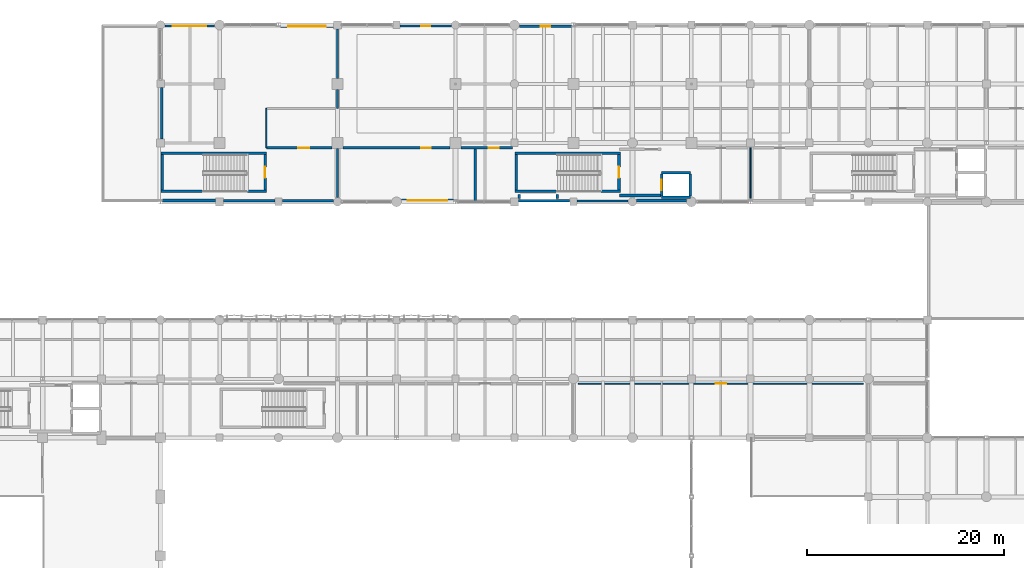
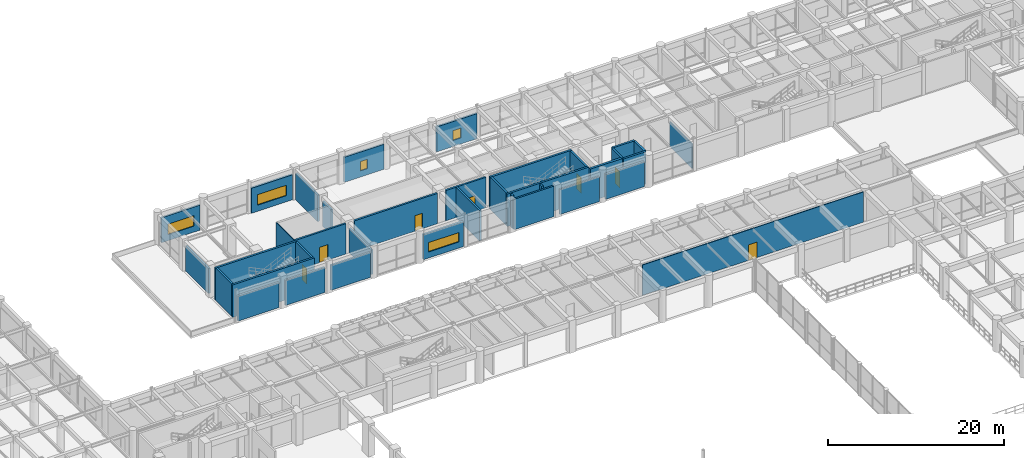
# One storey, part 103 of 133: 37 walls, 7 doors, 5 windows, 12 openings.
"""IFC4 building model written with IfcOpenShell, lengths in metres."""

import ifcopenshell
import ifcopenshell.guid

model = None  # the IFC model being written
_history = None  # IfcOwnerHistory: only IFC2X3 demands one
_inside = {}  # id of a spatial element -> (the spatial element, [elements in it])
_under = {}  # id of a project, library or spatial element -> (it, [spatial elements below it])
_declared = {}  # id of a project -> (the project, [libraries it declares])
_typed = {}  # id of a type object -> (the type object, [elements of that type])
_made_of = {}  # id of a material, layer set ... -> (it, [elements and type objects made of it])


def new_model(schema):
    """Start an empty IFC model of exactly this schema.

    Asked for "IFC4X3", IfcOpenShell would pick the latest addendum, in which some entities
    have other attributes; the version numbers below select the first issue.
    IFC2X3 requires an IfcOwnerHistory on every rooted entity: one is made here for all.
    """
    global model, _history
    if schema == "IFC4X3":
        model = ifcopenshell.file(schema_version=(4, 3, 0, 0))
    else:
        model = ifcopenshell.file(schema=schema)
    _inside.clear()
    _under.clear()
    _declared.clear()
    _typed.clear()
    _made_of.clear()
    _history = None
    if model.schema == "IFC2X3":
        org = make("IfcOrganization", Name="unknown")
        user = make(
            "IfcPersonAndOrganization",
            ThePerson=make("IfcPerson", FamilyName="unknown"),
            TheOrganization=org,
        )
        app = make(
            "IfcApplication",
            ApplicationDeveloper=org,
            Version="unknown",
            ApplicationFullName="unknown",
            ApplicationIdentifier="unknown",
        )
        _history = make(
            "IfcOwnerHistory",
            OwningUser=user,
            OwningApplication=app,
            ChangeAction="ADDED",
            CreationDate=0,
        )
    return model


def make(cls, **values):
    """One entity of the class cls with the attributes given. An attribute that is None is left unset."""
    return model.create_entity(
        cls, **{name: value for name, value in values.items() if value is not None}
    )


def rooted(cls, **values):
    """An entity with a GlobalId (a new one), such as an element, a storey or a relation."""
    return make(cls, GlobalId=ifcopenshell.guid.new(), OwnerHistory=_history, **values)


def si_unit(unit_type, name, prefix=None):
    """IfcSIUnit, for example si_unit("LENGTHUNIT", "METRE", prefix="MILLI")."""
    return make("IfcSIUnit", UnitType=unit_type, Prefix=prefix, Name=name)


def assignment(units):
    """IfcUnitAssignment: the units of a project."""
    return None if units is None else make("IfcUnitAssignment", Units=units)


def point(xyz):
    """IfcCartesianPoint."""
    return None if xyz is None else make("IfcCartesianPoint", Coordinates=xyz)


def direction(xyz):
    """IfcDirection."""
    return None if xyz is None else make("IfcDirection", DirectionRatios=xyz)


def frame(location, z_axis=None, x_axis=None):
    """IfcAxis2Placement3D, a coordinate frame: its origin and axes. An axis left out is left unset."""
    return make(
        "IfcAxis2Placement3D",
        Location=point(location),
        Axis=direction(z_axis),
        RefDirection=direction(x_axis),
    )


def frame_2d(location, x_axis=None):
    """IfcAxis2Placement2D, a coordinate frame in the plane: its origin and x axis."""
    return make(
        "IfcAxis2Placement2D", Location=point(location), RefDirection=direction(x_axis)
    )


def origin():
    """The frame at (0, 0, 0) with its axes left unset."""
    return frame((0.0, 0.0, 0.0))


def place(relative_to, where):
    """IfcLocalPlacement: puts the frame where relative to a parent placement (None: the world)."""
    return make(
        "IfcLocalPlacement", PlacementRelTo=relative_to, RelativePlacement=where
    )


def context(
    kind, dimensions, precision=None, world=None, true_north=None, identifier=None
):
    """IfcGeometricRepresentationContext, for example the 3D "Model" context."""
    return make(
        "IfcGeometricRepresentationContext",
        ContextIdentifier=identifier,
        ContextType=kind,
        CoordinateSpaceDimension=dimensions,
        Precision=precision,
        WorldCoordinateSystem=world,
        TrueNorth=true_north,
    )


def subcontext(parent, identifier, kind, view, scale=None):
    """IfcGeometricRepresentationSubContext, for example "Body" below "Model"."""
    return make(
        "IfcGeometricRepresentationSubContext",
        ContextIdentifier=identifier,
        ContextType=kind,
        ParentContext=parent,
        TargetScale=scale,
        TargetView=view,
    )


def project(units=None, contexts=None):
    """IfcProject with its units and contexts."""
    return rooted(
        "IfcProject",
        Name="project",
        RepresentationContexts=contexts,
        UnitsInContext=assignment(units),
    )


def spatial(cls, under=None, at=None, **own):
    """A site, building, storey or space (cls), placed at a placement, below another one or the project."""
    s = rooted(cls, ObjectPlacement=at, **own)
    if under is not None:
        _under.setdefault(under.id(), (under, []))[1].append(s)
    return s


def profile(cls, at=None, kind="AREA", **sizes):
    """A parametric profile (cls). Its sizes go by their IFC names, for example OverallWidth=200.0."""
    return make(cls, ProfileType=kind, Position=at, **sizes)


def rectangle(**sizes):
    """IfcRectangleProfileDef."""
    return profile("IfcRectangleProfileDef", **sizes)


def extrude(swept, where, along, depth):
    """IfcExtrudedAreaSolid: the profile swept, set in the frame where, extruded along a direction by depth."""
    return make(
        "IfcExtrudedAreaSolid",
        SweptArea=swept,
        Position=where,
        ExtrudedDirection=direction(along),
        Depth=depth,
    )


def shape(context_of_items, identifier, shape_type, items):
    """IfcShapeRepresentation: the items that make up one representation, for example the "Body"."""
    return make(
        "IfcShapeRepresentation",
        ContextOfItems=context_of_items,
        RepresentationIdentifier=identifier,
        RepresentationType=shape_type,
        Items=items,
    )


def material(Name=None, Category=None):
    """IfcMaterial."""
    return make("IfcMaterial", Name=Name, Category=Category)


def layer(
    of_material, thickness, ventilated=None, Name=None, Category=None, Priority=None
):
    """IfcMaterialLayer: one layer of a wall or slab, of a material (None: an air gap)."""
    return make(
        "IfcMaterialLayer",
        Material=of_material,
        LayerThickness=thickness,
        IsVentilated=ventilated,
        Name=Name,
        Category=Category,
        Priority=Priority,
    )


def layer_set(layers, Name=None):
    """IfcMaterialLayerSet."""
    return make("IfcMaterialLayerSet", MaterialLayers=layers, LayerSetName=Name)


def made_of(thing, what):
    """Note that an element or type object is made of a material, layer set ...; save() writes the relation."""
    if what is not None:
        _made_of.setdefault(what.id(), (what, []))[1].append(thing)
    return thing


def type_object(cls, material=None, **own):
    """A type object (cls), such as IfcWallType, which elements share."""
    return made_of(rooted(cls, **own), material)


def element(
    cls,
    number,
    at=None,
    inside=None,
    cuts=None,
    type_object=None,
    material=None,
    context=None,
    identifier="Body",
    shape_type=None,
    held_by="IfcProductDefinitionShape",
    body=None,
    shapes=None,
    **own,
):
    """One element of the class cls, such as IfcWall. Its Tag is "e" and its number.

    at: its placement. inside: the storey or other place that contains it. cuts: it is an
    opening in that element (IfcRelVoidsElement). A single representation is given by context,
    identifier, shape_type and body (its items); several are given by shapes. held_by: the class
    of the entity that holds the representations. save() writes the other relations.
    """
    e = rooted(cls, Tag="e%d" % number, ObjectPlacement=at, **own)
    if body is not None:
        shapes = [shape(context, identifier, shape_type, body)]
    if shapes is not None:
        e.Representation = make(held_by, Representations=shapes)
    if inside is not None:
        _inside.setdefault(inside.id(), (inside, []))[1].append(e)
    if cuts is not None:
        rooted(
            "IfcRelVoidsElement", RelatingBuildingElement=cuts, RelatedOpeningElement=e
        )
    if type_object is not None:
        _typed.setdefault(type_object.id(), (type_object, []))[1].append(e)
    return made_of(e, material)


def fill(opening, filler):
    """IfcRelFillsElement: the door or window that sits in an opening."""
    return rooted(
        "IfcRelFillsElement",
        RelatingOpeningElement=opening,
        RelatedBuildingElement=filler,
    )


def aggregate(whole, parts):
    """IfcRelAggregates: a whole, such as a stair, and the parts it consists of."""
    return rooted("IfcRelAggregates", RelatingObject=whole, RelatedObjects=parts)


def save(model, path):
    """Write the relations noted so far, then the file.

    IfcRelAggregates (storeys below a building ...), IfcRelContainedInSpatialStructure (elements
    in a storey), IfcRelDefinesByType, IfcRelAssociatesMaterial and IfcRelDeclares: one each for
    every whole, place, type object, material and project.
    """
    for whole, parts in _under.values():
        aggregate(whole, parts)
    for where, things in _inside.values():
        rooted(
            "IfcRelContainedInSpatialStructure",
            RelatedElements=things,
            RelatingStructure=where,
        )
    for kind, things in _typed.values():
        rooted("IfcRelDefinesByType", RelatedObjects=things, RelatingType=kind)
    for what, things in _made_of.values():
        rooted("IfcRelAssociatesMaterial", RelatedObjects=things, RelatingMaterial=what)
    for by, libraries in _declared.values():
        rooted("IfcRelDeclares", RelatingContext=by, RelatedDefinitions=libraries)
    model.write(path)


model = new_model("IFC4")

# Units and contexts
model_context = context("Model", 3, precision=1e-05, world=origin(), true_north=direction((0.0, 1.0)))
body_context = subcontext(model_context, "Body", "Model", "MODEL_VIEW")
ifc_project = project(units=[si_unit("LENGTHUNIT", "METRE"), si_unit("AREAUNIT", "SQUARE_METRE"), si_unit("VOLUMEUNIT", "CUBIC_METRE"), si_unit("PLANEANGLEUNIT", "RADIAN"), si_unit("MASSUNIT", "GRAM", prefix="KILO"), si_unit("THERMODYNAMICTEMPERATUREUNIT", "KELVIN"), si_unit("POWERUNIT", "WATT")], contexts=[model_context])

# Site, building, storey
site_placement = place(None, origin())
site = spatial("IfcSite", under=ifc_project, at=site_placement, CompositionType="ELEMENT")
building_placement = place(site_placement, origin())
building = spatial("IfcBuilding", under=site, at=building_placement, Name="Phaisarnlok Congress Hotel", CompositionType="ELEMENT")
storey_placement = place(building_placement, frame((0.0, 0.0, 6.0)))
storey = spatial("IfcBuildingStorey", under=building, at=storey_placement, Name="L01", CompositionType="ELEMENT", Elevation=6.0)

# Walls
ifc_material_1 = material(Name="Concrete C40/50", Category="concrete")
ifc_layer_1 = layer(ifc_material_1, 0.2099609375, Name="Concrete C40/50")
ifc_layer_set_1 = layer_set([ifc_layer_1], Name="Concrete C40/50")
wall_type_1 = type_object("IfcWallType", Name="WL-EXT-210", PredefinedType="SOLIDWALL", material=ifc_layer_set_1)
wall_1_placement = place(storey_placement, frame((108.3798828125, 108.10498046875, 0.0), z_axis=(0.0, 0.0, 1.0), x_axis=(1.0, 0.0, 0.0)))
element("IfcWall", 1, at=wall_1_placement, inside=storey, type_object=wall_type_1, Name="Exterior wall EW-07 (L01)", PredefinedType="SOLIDWALL", context=body_context, shape_type="SweptSolid", body=[
    extrude(rectangle(XDim=5.190185546875, YDim=0.2099609375, at=frame_2d((2.59521484375, 0.0))), origin(), (0.0, 0.0, 1.0), 3.469970703125),
])
ifc_layer_2 = layer(ifc_material_1, 0.22998046875, Name="Concrete C40/50")
ifc_layer_set_2 = layer_set([ifc_layer_2], Name="Concrete C40/50")
wall_type_2 = type_object("IfcWallType", Name="WL-EXT-230", PredefinedType="SOLIDWALL", material=ifc_layer_set_2)
wall_2_placement = place(storey_placement, frame((78.3798828125, 108.114990234375, 0.0), z_axis=(0.0, 0.0, 1.0), x_axis=(1.0, 0.0, 0.0)))
element("IfcWall", 2, at=wall_2_placement, inside=storey, type_object=wall_type_2, Name="Exterior wall EW-06 (L01)", PredefinedType="SOLIDWALL", context=body_context, shape_type="SweptSolid", body=[
    extrude(rectangle(XDim=5.190185546875, YDim=0.22998046875, at=frame_2d((2.59521484375, 0.0))), origin(), (0.0, 0.0, 1.0), 3.469970703125),
])
wall_3_placement = place(storey_placement, frame((102.405029296875, 108.114990234375, 0.0), z_axis=(0.0, 0.0, 1.0), x_axis=(1.0, 0.0, 0.0)))
element("IfcWall", 3, at=wall_3_placement, inside=storey, type_object=wall_type_2, Name="Exterior wall EW-06 (L01)", PredefinedType="SOLIDWALL", context=body_context, shape_type="SweptSolid", body=[
    extrude(rectangle(XDim=5.215087890625, YDim=0.22998046875, at=frame_2d((2.607421875, 0.0))), origin(), (0.0, 0.0, 1.0), 4.219970703125),
])

# Wall, opening, window
wall_4_placement = place(storey_placement, frame((95.570068359375, 125.885009765625, 0.0), z_axis=(0.0, 0.0, 1.0), x_axis=(-1.0, 0.0, 0.0)))
wall_4 = element("IfcWall", 4, at=wall_4_placement, inside=storey, type_object=wall_type_2, Name="Exterior wall EW-06 (L01)", PredefinedType="SOLIDWALL", context=body_context, shape_type="SweptSolid", body=[
    extrude(rectangle(XDim=5.190185546875, YDim=0.22998046875, at=frame_2d((2.59521484375, 0.0))), origin(), (0.0, 0.0, 1.0), 3.469970703125),
])
opening_1_placement = place(wall_4_placement, frame((2.14501953125, 0.0, 0.85009765625)))
opening_1 = element("IfcOpeningElement", 5, at=opening_1_placement, cuts=wall_4, Name="Opening W-16", PredefinedType="OPENING", context=body_context, shape_type="SweptSolid", body=[
    extrude(rectangle(XDim=0.89990234375, YDim=1.300048828125, at=frame_2d((0.449951171875, 0.64990234375))), frame((0.0, 0.125, 0.0), z_axis=(0.0, -1.0, 0.0), x_axis=(1.0, 0.0, 0.0)), (0.0, 0.0, 1.0), 0.25),
])
ifc_material_2 = material(Name="Thermally Broken Aluminium & Low-E Double Glazing", Category="aluminium")
window_type_1 = type_object("IfcWindowType", Name="WIN-POD-0900", PartitioningType="SINGLE_PANEL", PredefinedType="WINDOW", material=ifc_material_2)
window_1_placement = place(opening_1_placement, origin())
window_1 = element("IfcWindow", 6, at=window_1_placement, inside=storey, type_object=window_type_1, Name="Podium window W-16 (L01)", OverallHeight=1.300048828125, OverallWidth=0.89990234375, PartitioningType="SINGLE_PANEL", PredefinedType="WINDOW", context=body_context, shape_type="SweptSolid", body=[
    extrude(rectangle(XDim=0.89990234375, YDim=1.300048828125, at=frame_2d((0.449951171875, 0.64990234375))), frame((0.0, 0.030029296875, 0.0), z_axis=(0.0, -1.0, 0.0), x_axis=(1.0, 0.0, 0.0)), (0.0, 0.0, 1.0), 0.06005859375),
])
fill(opening_1, window_1)

wall_5_placement = place(storey_placement, frame((71.4951171875, 125.885009765625, 0.0), z_axis=(0.0, 0.0, 1.0), x_axis=(-1.0, 0.0, 0.0)))
wall_5 = element("IfcWall", 7, at=wall_5_placement, inside=storey, type_object=wall_type_2, Name="Exterior wall EW-06 (L01)", PredefinedType="SOLIDWALL", context=body_context, shape_type="SweptSolid", body=[
    extrude(rectangle(XDim=5.065185546875, YDim=0.22998046875, at=frame_2d((2.53271484375, 0.0))), origin(), (0.0, 0.0, 1.0), 3.469970703125),
])
opening_2_placement = place(wall_5_placement, frame((0.83203125, 0.0, 0.85009765625)))
opening_2 = element("IfcOpeningElement", 8, at=opening_2_placement, cuts=wall_5, Name="Opening W-18", PredefinedType="OPENING", context=body_context, shape_type="SweptSolid", body=[
    extrude(rectangle(XDim=3.39990234375, YDim=1.449951171875, at=frame_2d((1.699951171875, 0.72509765625))), frame((0.0, 0.125, 0.0), z_axis=(0.0, -1.0, 0.0), x_axis=(1.0, 0.0, 0.0)), (0.0, 0.0, 1.0), 0.25),
])
window_type_2 = type_object("IfcWindowType", Name="WIN-RIB-3400", PartitioningType="SINGLE_PANEL", PredefinedType="WINDOW", material=ifc_material_2)
window_2_placement = place(opening_2_placement, origin())
window_2 = element("IfcWindow", 9, at=window_2_placement, inside=storey, type_object=window_type_2, Name="Podium window W-18 (L01)", OverallHeight=1.449951171875, OverallWidth=3.39990234375, PartitioningType="SINGLE_PANEL", PredefinedType="WINDOW", context=body_context, shape_type="SweptSolid", body=[
    extrude(rectangle(XDim=3.39990234375, YDim=1.449951171875, at=frame_2d((1.699951171875, 0.72509765625))), frame((0.0, 0.030029296875, 0.0), z_axis=(0.0, -1.0, 0.0), x_axis=(1.0, 0.0, 0.0)), (0.0, 0.0, 1.0), 0.06005859375),
])
fill(opening_2, window_2)

# Walls
ifc_layer_3 = layer(ifc_material_1, 0.25, Name="Concrete C40/50")
ifc_layer_set_3 = layer_set([ifc_layer_3], Name="Concrete C40/50")
wall_type_3 = type_object("IfcWallType", Name="WL-EXT-250", PredefinedType="SOLIDWALL", material=ifc_layer_set_3)
wall_6_placement = place(storey_placement, frame((72.405029296875, 108.125, 0.0), z_axis=(0.0, 0.0, 1.0), x_axis=(1.0, 0.0, 0.0)))
element("IfcWall", 10, at=wall_6_placement, inside=storey, type_object=wall_type_3, Name="Exterior wall EW-05 (L01)", PredefinedType="SOLIDWALL", context=body_context, shape_type="SweptSolid", body=[
    extrude(rectangle(XDim=5.215087890625, YDim=0.25, at=frame_2d((2.607421875, 0.0))), origin(), (0.0, 0.0, 1.0), 3.469970703125),
])
ifc_layer_4 = layer(ifc_material_1, 0.27001953125, Name="Concrete C40/50")
ifc_layer_set_4 = layer_set([ifc_layer_4], Name="Concrete C40/50")
wall_type_4 = type_object("IfcWallType", Name="WL-EXT-270", PredefinedType="SOLIDWALL", material=ifc_layer_set_4)
wall_7_placement = place(storey_placement, frame((66.20556640625, 108.135009765625, 0.0), z_axis=(0.0, 0.0, 1.0), x_axis=(1.0, 0.0, 0.0)))
element("IfcWall", 11, at=wall_7_placement, inside=storey, type_object=wall_type_4, Name="Exterior wall EW-04 (L01)", PredefinedType="SOLIDWALL", context=body_context, shape_type="SweptSolid", body=[
    extrude(rectangle(XDim=5.389404296875, YDim=0.27001953125, at=frame_2d((2.69482421875, 0.0))), origin(), (0.0, 0.0, 1.0), 3.469970703125),
])

# Wall, opening, window
wall_8_placement = place(storey_placement, frame((90.5048828125, 108.135009765625, 0.0), z_axis=(0.0, 0.0, 1.0), x_axis=(1.0, 0.0, 0.0)))
wall_8 = element("IfcWall", 12, at=wall_8_placement, inside=storey, type_object=wall_type_4, Name="Exterior wall EW-04 (L01)", PredefinedType="SOLIDWALL", context=body_context, shape_type="SweptSolid", body=[
    extrude(rectangle(XDim=5.28955078125, YDim=0.27001953125, at=frame_2d((2.644775390625, 0.0))), origin(), (0.0, 0.0, 1.0), 3.469970703125),
])
opening_3_placement = place(wall_8_placement, frame((0.64501953125, 0.0, 0.85009765625)))
opening_3 = element("IfcOpeningElement", 13, at=opening_3_placement, cuts=wall_8, Name="Opening W-19", PredefinedType="OPENING", context=body_context, shape_type="SweptSolid", body=[
    extrude(rectangle(XDim=4.0, YDim=1.300048828125, at=frame_2d((2.0, 0.64990234375))), frame((0.0, 0.14501953125, 0.0), z_axis=(0.0, -1.0, 0.0), x_axis=(1.0, 0.0, 0.0)), (0.0, 0.0, 1.0), 0.2900390625),
])
window_type_3 = type_object("IfcWindowType", Name="WIN-CLER-4000", PartitioningType="SINGLE_PANEL", PredefinedType="WINDOW", material=ifc_material_2)
window_3_placement = place(opening_3_placement, origin())
window_3 = element("IfcWindow", 14, at=window_3_placement, inside=storey, type_object=window_type_3, Name="Podium window W-19 (L01)", OverallHeight=1.300048828125, OverallWidth=4.0, PartitioningType="SINGLE_PANEL", PredefinedType="WINDOW", context=body_context, shape_type="SweptSolid", body=[
    extrude(rectangle(XDim=4.0, YDim=1.300048828125, at=frame_2d((2.0, 0.64990234375))), frame((0.0, 0.030029296875, 0.0), z_axis=(0.0, -1.0, 0.0), x_axis=(1.0, 0.0, 0.0)), (0.0, 0.0, 1.0), 0.06005859375),
])
fill(opening_3, window_3)

# Wall
wall_9_placement = place(storey_placement, frame((114.429931640625, 108.135009765625, 0.0), z_axis=(0.0, 0.0, 1.0), x_axis=(1.0, 0.0, 0.0)))
element("IfcWall", 15, at=wall_9_placement, inside=storey, type_object=wall_type_4, Name="Exterior wall EW-04 (L01)", PredefinedType="SOLIDWALL", context=body_context, shape_type="SweptSolid", body=[
    extrude(rectangle(XDim=5.065185546875, YDim=0.27001953125, at=frame_2d((2.53271484375, 0.0))), origin(), (0.0, 0.0, 1.0), 3.469970703125),
])

# Wall, opening, window
wall_10_placement = place(storey_placement, frame((107.79443359375, 125.864990234375, 0.0), z_axis=(0.0, 0.0, 1.0), x_axis=(-1.0, 0.0, 0.0)))
wall_10 = element("IfcWall", 16, at=wall_10_placement, inside=storey, type_object=wall_type_4, Name="Exterior wall EW-04 (L01)", PredefinedType="SOLIDWALL", context=body_context, shape_type="SweptSolid", body=[
    extrude(rectangle(XDim=5.28955078125, YDim=0.27001953125, at=frame_2d((2.644775390625, 0.0))), origin(), (0.0, 0.0, 1.0), 3.469970703125),
])
opening_4_placement = place(wall_10_placement, frame((2.14501953125, 0.0, 0.85009765625)))
opening_4 = element("IfcOpeningElement", 17, at=opening_4_placement, cuts=wall_10, Name="Opening W-15", PredefinedType="OPENING", context=body_context, shape_type="SweptSolid", body=[
    extrude(rectangle(XDim=1.0, YDim=1.35009765625, at=frame_2d((0.5, 0.675048828125))), frame((0.0, 0.14501953125, 0.0), z_axis=(0.0, -1.0, 0.0), x_axis=(1.0, 0.0, 0.0)), (0.0, 0.0, 1.0), 0.2900390625),
])
window_type_4 = type_object("IfcWindowType", Name="WIN-POD-1000", PartitioningType="SINGLE_PANEL", PredefinedType="WINDOW", material=ifc_material_2)
window_4_placement = place(opening_4_placement, origin())
window_4 = element("IfcWindow", 18, at=window_4_placement, inside=storey, type_object=window_type_4, Name="Podium window W-15 (L01)", OverallHeight=1.35009765625, OverallWidth=1.0, PartitioningType="SINGLE_PANEL", PredefinedType="WINDOW", context=body_context, shape_type="SweptSolid", body=[
    extrude(rectangle(XDim=1.0, YDim=1.35009765625, at=frame_2d((0.5, 0.675048828125))), frame((0.0, 0.030029296875, 0.0), z_axis=(0.0, -1.0, 0.0), x_axis=(1.0, 0.0, 0.0)), (0.0, 0.0, 1.0), 0.06005859375),
])
fill(opening_4, window_4)

wall_11_placement = place(storey_placement, frame((83.594970703125, 125.864990234375, 0.0), z_axis=(0.0, 0.0, 1.0), x_axis=(-1.0, 0.0, 0.0)))
wall_11 = element("IfcWall", 19, at=wall_11_placement, inside=storey, type_object=wall_type_4, Name="Exterior wall EW-04 (L01)", PredefinedType="SOLIDWALL", context=body_context, shape_type="SweptSolid", body=[
    extrude(rectangle(XDim=5.389404296875, YDim=0.27001953125, at=frame_2d((2.69482421875, 0.0))), origin(), (0.0, 0.0, 1.0), 3.469970703125),
])
opening_5_placement = place(wall_11_placement, frame((0.794921875, 0.0, 0.85009765625)))
opening_5 = element("IfcOpeningElement", 20, at=opening_5_placement, cuts=wall_11, Name="Opening W-17", PredefinedType="OPENING", context=body_context, shape_type="SweptSolid", body=[
    extrude(rectangle(XDim=3.800048828125, YDim=1.449951171875, at=frame_2d((1.89990234375, 0.72509765625))), frame((0.0, 0.14501953125, 0.0), z_axis=(0.0, -1.0, 0.0), x_axis=(1.0, 0.0, 0.0)), (0.0, 0.0, 1.0), 0.2900390625),
])
window_type_5 = type_object("IfcWindowType", Name="WIN-RIB-3800", PartitioningType="SINGLE_PANEL", PredefinedType="WINDOW", material=ifc_material_2)
window_5_placement = place(opening_5_placement, origin())
window_5 = element("IfcWindow", 21, at=window_5_placement, inside=storey, type_object=window_type_5, Name="Podium window W-17 (L01)", OverallHeight=1.449951171875, OverallWidth=3.800048828125, PartitioningType="SINGLE_PANEL", PredefinedType="WINDOW", context=body_context, shape_type="SweptSolid", body=[
    extrude(rectangle(XDim=3.800048828125, YDim=1.449951171875, at=frame_2d((1.89990234375, 0.72509765625))), frame((0.0, 0.030029296875, 0.0), z_axis=(0.0, -1.0, 0.0), x_axis=(1.0, 0.0, 0.0)), (0.0, 0.0, 1.0), 0.06005859375),
])
fill(opening_5, window_5)

# Wall
wall_12_placement = place(storey_placement, frame((66.135009765625, 119.6201171875, 0.0), z_axis=(0.0, 0.0, 1.0), x_axis=(0.0, -1.0, 0.0)))
element("IfcWall", 22, at=wall_12_placement, inside=storey, type_object=wall_type_4, Name="Exterior wall EW-04 (L01)", PredefinedType="SOLIDWALL", context=body_context, shape_type="SweptSolid", body=[
    extrude(rectangle(XDim=5.215087890625, YDim=0.27001953125, at=frame_2d((2.607421875, 0.0))), origin(), (0.0, 0.0, 1.0), 3.469970703125),
])

# Wall, opening, door
ifc_material_3 = material(Name="Service Riser Shaftwall Partition", Category="gypsum")
ifc_layer_5 = layer(ifc_material_3, 0.10498046875, Name="Service Riser Shaftwall Partition")
ifc_layer_set_5 = layer_set([ifc_layer_5], Name="Service Riser Shaftwall Partition")
wall_type_5 = type_object("IfcWallType", Name="WL-INT-105", PredefinedType="PARTITIONING", material=ifc_layer_set_5)
wall_13_placement = place(storey_placement, frame((108.5048828125, 89.5, 0.0), z_axis=(0.0, 0.0, 1.0), x_axis=(1.0, 0.0, 0.0)))
wall_13 = element("IfcWall", 23, at=wall_13_placement, inside=storey, type_object=wall_type_5, Name="Interior partition wall IW-08 (L01)", PredefinedType="PARTITIONING", context=body_context, shape_type="SweptSolid", body=[
    extrude(rectangle(XDim=28.990234375, YDim=0.10498046875, at=frame_2d((14.4951171875, 0.0))), origin(), (0.0, 0.0, 1.0), 4.219970703125),
])
opening_6_placement = place(wall_13_placement, frame((13.945068359375, 0.0, 0.0)))
opening_6 = element("IfcOpeningElement", 24, at=opening_6_placement, cuts=wall_13, Name="Opening D-0068", PredefinedType="OPENING", context=body_context, shape_type="SweptSolid", body=[
    extrude(rectangle(XDim=1.10009765625, YDim=2.14990234375, at=frame_2d((0.550048828125, 1.074951171875))), frame((0.0, 0.0625, 0.0), z_axis=(0.0, -1.0, 0.0), x_axis=(1.0, 0.0, 0.0)), (0.0, 0.0, 1.0), 0.125),
])
ifc_material_4 = material(Name="Fire-Rated Steel Frame & Timber Leaf", Category="steel")
door_type_1 = type_object("IfcDoorType", Name="DR-FD60-1100", OperationType="NOTDEFINED", PredefinedType="DOOR", material=ifc_material_4)
door_1_placement = place(opening_6_placement, origin())
door_1 = element("IfcDoor", 25, at=door_1_placement, inside=storey, type_object=door_type_1, Name="Interior door D-0068 (L01)", OperationType="SINGLE_SWING_RIGHT", OverallHeight=2.14990234375, OverallWidth=1.10009765625, PredefinedType="DOOR", context=body_context, shape_type="SweptSolid", body=[
    extrude(rectangle(XDim=1.10009765625, YDim=2.14990234375, at=frame_2d((0.550048828125, 1.074951171875))), frame((0.0, 0.02490234375, 0.0), z_axis=(0.0, -1.0, 0.0), x_axis=(1.0, 0.0, 0.0)), (0.0, 0.0, 1.0), 0.050048828125),
])
fill(opening_6, door_1)

# Walls
ifc_material_5 = material(Name="Lightweight Metal-Stud Gypsum Partition", Category="gypsum")
ifc_layer_6 = layer(ifc_material_5, 0.1201171875, Name="Lightweight Metal-Stud Gypsum Partition")
ifc_layer_set_6 = layer_set([ifc_layer_6], Name="Lightweight Metal-Stud Gypsum Partition")
wall_type_6 = type_object("IfcWallType", Name="WL-INT-120", PredefinedType="PARTITIONING", material=ifc_layer_set_6)
wall_14_placement = place(storey_placement, frame((76.75, 113.5, 0.0), z_axis=(0.0, 0.0, 1.0), x_axis=(0.0, 1.0, 0.0)))
element("IfcWall", 26, at=wall_14_placement, inside=storey, type_object=wall_type_6, Name="Interior partition wall IW-07 (L01)", PredefinedType="PARTITIONING", context=body_context, shape_type="SweptSolid", body=[
    extrude(rectangle(XDim=4.0, YDim=0.1201171875, at=frame_2d((2.0, 0.0))), origin(), (0.0, 0.0, 1.0), 4.219970703125),
])
wall_15_placement = place(storey_placement, frame((126.0, 108.3701171875, 0.0), z_axis=(0.0, 0.0, 1.0), x_axis=(0.0, 1.0, 0.0)))
element("IfcWall", 27, at=wall_15_placement, inside=storey, type_object=wall_type_6, Name="Interior partition wall IW-07 (L01)", PredefinedType="PARTITIONING", context=body_context, shape_type="SweptSolid", body=[
    extrude(rectangle(XDim=5.1298828125, YDim=0.1201171875, at=frame_2d((2.56494140625, 0.0))), origin(), (0.0, 0.0, 1.0), 3.419921875),
])
ifc_layer_7 = layer(ifc_material_1, 0.239990234375, Name="Concrete C40/50")
ifc_layer_set_7 = layer_set([ifc_layer_7], Name="Concrete C40/50")
wall_type_7 = type_object("IfcWallType", Name="WL-INT-240", PredefinedType="PARTITIONING", material=ifc_layer_set_7)
wall_16_placement = place(storey_placement, frame((84.0, 108.429931640625, 0.0), z_axis=(0.0, 0.0, 1.0), x_axis=(0.0, 1.0, 0.0)))
element("IfcWall", 28, at=wall_16_placement, inside=storey, type_object=wall_type_7, Name="Interior partition wall IW-01 (L01)", PredefinedType="PARTITIONING", context=body_context, shape_type="SweptSolid", body=[
    extrude(rectangle(XDim=5.01513671875, YDim=0.239990234375, at=frame_2d((2.507568359375, 0.0))), origin(), (0.0, 0.0, 1.0), 3.419921875),
])
wall_17_placement = place(storey_placement, frame((84.0, 117.5, 0.0), z_axis=(0.0, 0.0, 1.0), x_axis=(0.0, 1.0, 0.0)))
element("IfcWall", 29, at=wall_17_placement, inside=storey, type_object=wall_type_7, Name="Interior partition wall IW-01 (L01)", PredefinedType="PARTITIONING", context=body_context, shape_type="SweptSolid", body=[
    extrude(rectangle(XDim=1.945068359375, YDim=0.239990234375, at=frame_2d((0.97265625, 0.0))), origin(), (0.0, 0.0, 1.0), 3.52001953125),
])
wall_18_placement = place(storey_placement, frame((84.0, 120.554931640625, 0.0), z_axis=(0.0, 0.0, 1.0), x_axis=(0.0, 1.0, 0.0)))
element("IfcWall", 30, at=wall_18_placement, inside=storey, type_object=wall_type_7, Name="Interior partition wall IW-01 (L01)", PredefinedType="PARTITIONING", context=body_context, shape_type="SweptSolid", body=[
    extrude(rectangle(XDim=5.0400390625, YDim=0.239990234375, at=frame_2d((2.52001953125, 0.0))), origin(), (0.0, 0.0, 1.0), 3.669921875),
])
wall_19_placement = place(storey_placement, frame((98.0, 108.044921875, 0.0), z_axis=(0.0, 0.0, 1.0), x_axis=(0.0, 1.0, 0.0)))
element("IfcWall", 31, at=wall_19_placement, inside=storey, type_object=wall_type_7, Name="Interior partition wall IW-01 (L01)", PredefinedType="PARTITIONING", context=body_context, shape_type="SweptSolid", body=[
    extrude(rectangle(XDim=5.455078125, YDim=0.239990234375, at=frame_2d((2.7275390625, 0.0))), origin(), (0.0, 0.0, 1.0), 4.219970703125),
])

# Wall, opening, door
wall_20_placement = place(storey_placement, frame((76.75, 113.5, 0.0), z_axis=(0.0, 0.0, 1.0), x_axis=(1.0, 0.0, 0.0)))
wall_20 = element("IfcWall", 32, at=wall_20_placement, inside=storey, type_object=wall_type_7, Name="Interior partition wall IW-01 (L01)", PredefinedType="PARTITIONING", context=body_context, shape_type="SweptSolid", body=[
    extrude(rectangle(XDim=6.695068359375, YDim=0.239990234375, at=frame_2d((3.34765625, 0.0))), origin(), (0.0, 0.0, 1.0), 4.219970703125),
])
opening_7_placement = place(wall_20_placement, frame((3.25, 0.0, 0.0)))
opening_7 = element("IfcOpeningElement", 33, at=opening_7_placement, cuts=wall_20, Name="Opening D-0083", PredefinedType="OPENING", context=body_context, shape_type="SweptSolid", body=[
    extrude(rectangle(XDim=1.10009765625, YDim=2.14990234375, at=frame_2d((0.550048828125, 1.074951171875))), frame((0.0, 0.1298828125, 0.0), z_axis=(0.0, -1.0, 0.0), x_axis=(1.0, 0.0, 0.0)), (0.0, 0.0, 1.0), 0.260009765625),
])
door_2_placement = place(opening_7_placement, origin())
door_2 = element("IfcDoor", 34, at=door_2_placement, inside=storey, type_object=door_type_1, Name="Interior door D-0083 (L01)", OperationType="SINGLE_SWING_RIGHT", OverallHeight=2.14990234375, OverallWidth=1.10009765625, PredefinedType="DOOR", context=body_context, shape_type="SweptSolid", body=[
    extrude(rectangle(XDim=1.10009765625, YDim=2.14990234375, at=frame_2d((0.550048828125, 1.074951171875))), frame((0.0, 0.02490234375, 0.0), z_axis=(0.0, -1.0, 0.0), x_axis=(1.0, 0.0, 0.0)), (0.0, 0.0, 1.0), 0.050048828125),
])
fill(opening_7, door_2)

wall_21_placement = place(storey_placement, frame((84.554931640625, 113.5, 0.0), z_axis=(0.0, 0.0, 1.0), x_axis=(1.0, 0.0, 0.0)))
wall_21 = element("IfcWall", 35, at=wall_21_placement, inside=storey, type_object=wall_type_7, Name="Interior partition wall IW-01 (L01)", PredefinedType="PARTITIONING", context=body_context, shape_type="SweptSolid", body=[
    extrude(rectangle(XDim=10.89013671875, YDim=0.239990234375, at=frame_2d((5.445068359375, 0.0))), origin(), (0.0, 0.0, 1.0), 4.219970703125),
])
opening_8_placement = place(wall_21_placement, frame((7.965087890625, 0.0, 0.0)))
opening_8 = element("IfcOpeningElement", 36, at=opening_8_placement, cuts=wall_21, Name="Opening D-0075", PredefinedType="OPENING", context=body_context, shape_type="SweptSolid", body=[
    extrude(rectangle(XDim=0.9599609375, YDim=2.14990234375, at=frame_2d((0.47998046875, 1.074951171875))), frame((0.0, 0.1298828125, 0.0), z_axis=(0.0, -1.0, 0.0), x_axis=(1.0, 0.0, 0.0)), (0.0, 0.0, 1.0), 0.260009765625),
])
door_type_2 = type_object("IfcDoorType", Name="DR-FD60-950", OperationType="NOTDEFINED", PredefinedType="DOOR", material=ifc_material_4)
door_3_placement = place(opening_8_placement, origin())
door_3 = element("IfcDoor", 37, at=door_3_placement, inside=storey, type_object=door_type_2, Name="Interior door D-0075 (L01)", OperationType="SINGLE_SWING_RIGHT", OverallHeight=2.14990234375, OverallWidth=0.9599609375, PredefinedType="DOOR", context=body_context, shape_type="SweptSolid", body=[
    extrude(rectangle(XDim=0.9599609375, YDim=2.14990234375, at=frame_2d((0.47998046875, 1.074951171875))), frame((0.0, 0.02490234375, 0.0), z_axis=(0.0, -1.0, 0.0), x_axis=(1.0, 0.0, 0.0)), (0.0, 0.0, 1.0), 0.050048828125),
])
fill(opening_8, door_3)

wall_22_placement = place(storey_placement, frame((96.554931640625, 113.5, 0.0), z_axis=(0.0, 0.0, 1.0), x_axis=(1.0, 0.0, 0.0)))
wall_22 = element("IfcWall", 38, at=wall_22_placement, inside=storey, type_object=wall_type_7, Name="Interior partition wall IW-01 (L01)", PredefinedType="PARTITIONING", context=body_context, shape_type="SweptSolid", body=[
    extrude(rectangle(XDim=5.26513671875, YDim=0.239990234375, at=frame_2d((2.632568359375, 0.0))), origin(), (0.0, 0.0, 1.0), 4.219970703125),
])
opening_9_placement = place(wall_22_placement, frame((2.844970703125, 0.0, 0.0)))
opening_9 = element("IfcOpeningElement", 39, at=opening_9_placement, cuts=wall_22, Name="Opening D-0076", PredefinedType="OPENING", context=body_context, shape_type="SweptSolid", body=[
    extrude(rectangle(XDim=1.0, YDim=2.14990234375, at=frame_2d((0.5, 1.074951171875))), frame((0.0, 0.1298828125, 0.0), z_axis=(0.0, -1.0, 0.0), x_axis=(1.0, 0.0, 0.0)), (0.0, 0.0, 1.0), 0.260009765625),
])
ifc_material_6 = material(Name="Solid-Core Oak Veneer", Category="wood")
door_type_3 = type_object("IfcDoorType", Name="DR-INT-1000", OperationType="NOTDEFINED", PredefinedType="DOOR", material=ifc_material_6)
door_4_placement = place(opening_9_placement, origin())
door_4 = element("IfcDoor", 40, at=door_4_placement, inside=storey, type_object=door_type_3, Name="Interior door D-0076 (L01)", OperationType="SINGLE_SWING_LEFT", OverallHeight=2.14990234375, OverallWidth=1.0, PredefinedType="DOOR", context=body_context, shape_type="SweptSolid", body=[
    extrude(rectangle(XDim=1.0, YDim=2.14990234375, at=frame_2d((0.5, 1.074951171875))), frame((0.0, 0.02490234375, 0.0), z_axis=(0.0, -1.0, 0.0), x_axis=(1.0, 0.0, 0.0)), (0.0, 0.0, 1.0), 0.050048828125),
])
fill(opening_9, door_4)

# Walls
ifc_material_7 = material(Name="Concrete C50/60", Category="concrete")
ifc_layer_8 = layer(ifc_material_7, 0.260009765625, Name="Concrete C50/60")
ifc_layer_set_8 = layer_set([ifc_layer_8], Name="Concrete C50/60")
wall_type_8 = type_object("IfcWallType", Name="WL-SHR-260", PredefinedType="SHEAR", material=ifc_layer_set_8)
for number, where, z_axis, x_axis, name in (
    (41, (102.0400390625, 109.070068359375, 0.0), (0.0, 0.0, 1.0), (1.0, 0.0, 0.0), "Stair shaft shear wall SW-04 (CORE-4 L01)"),
    (42, (102.0400390625, 112.929931640625, 0.0), (0.0, 0.0, 1.0), (1.0, 0.0, 0.0), "Stair shaft shear wall SW-04 (CORE-4 L01)"),
):
    element("IfcWall", number, at=place(storey_placement, frame(where, z_axis=z_axis, x_axis=x_axis)), inside=storey, type_object=wall_type_8, Name=name, PredefinedType="SHEAR", context=body_context, shape_type="SweptSolid", body=[
        extrude(rectangle(XDim=10.719970703125, YDim=0.260009765625, at=frame_2d((5.35986328125, 0.0))), origin(), (0.0, 0.0, 1.0), 4.5),
    ])
wall_23_placement = place(storey_placement, frame((102.169921875, 109.199951171875, 0.0), z_axis=(0.0, 0.0, 1.0), x_axis=(0.0, 1.0, 0.0)))
element("IfcWall", 43, at=wall_23_placement, inside=storey, type_object=wall_type_8, Name="Stair shaft shear wall SW-04 (CORE-4 L01)", PredefinedType="SHEAR", context=body_context, shape_type="SweptSolid", body=[
    extrude(rectangle(XDim=3.60009765625, YDim=0.260009765625, at=frame_2d((1.800048828125, 0.0))), origin(), (0.0, 0.0, 1.0), 4.5),
])

# Wall, opening, door
wall_24_placement = place(storey_placement, frame((112.6298828125, 109.199951171875, 0.0), z_axis=(0.0, 0.0, 1.0), x_axis=(0.0, 1.0, 0.0)))
wall_24 = element("IfcWall", 44, at=wall_24_placement, inside=storey, type_object=wall_type_8, Name="Stair shaft shear wall SW-04 (CORE-4 L01)", PredefinedType="SHEAR", context=body_context, shape_type="SweptSolid", body=[
    extrude(rectangle(XDim=3.60009765625, YDim=0.260009765625, at=frame_2d((1.800048828125, 0.0))), origin(), (0.0, 0.0, 1.0), 4.5),
])
opening_10_placement = place(wall_24_placement, frame((1.25, 0.0, 0.0)))
opening_10 = element("IfcOpeningElement", 45, at=opening_10_placement, cuts=wall_24, Name="Opening FD-093", PredefinedType="OPENING", context=body_context, shape_type="SweptSolid", body=[
    extrude(rectangle(XDim=1.10009765625, YDim=2.14990234375, at=frame_2d((0.550048828125, 1.074951171875))), frame((0.0, 0.14013671875, 0.0), z_axis=(0.0, -1.0, 0.0), x_axis=(1.0, 0.0, 0.0)), (0.0, 0.0, 1.0), 0.280029296875),
])
door_5_placement = place(opening_10_placement, origin())
door_5 = element("IfcDoor", 46, at=door_5_placement, inside=storey, type_object=door_type_1, Name="Stair enclosure fire door FD-093 (L01)", OperationType="SINGLE_SWING_RIGHT", OverallHeight=2.14990234375, OverallWidth=1.10009765625, PredefinedType="DOOR", context=body_context, shape_type="SweptSolid", body=[
    extrude(rectangle(XDim=1.10009765625, YDim=2.14990234375, at=frame_2d((0.550048828125, 1.074951171875))), frame((0.0, 0.02490234375, 0.0), z_axis=(0.0, -1.0, 0.0), x_axis=(1.0, 0.0, 0.0)), (0.0, 0.0, 1.0), 0.050048828125),
])
fill(opening_10, door_5)

# Walls
for number, where, z_axis, x_axis, name in (
    (47, (116.969970703125, 108.469970703125, 0.0), (0.0, 0.0, 1.0), (1.0, 0.0, 0.0), "Lift shaft shear wall SW-04 (LF-HP4 L01)"),
    (48, (116.969970703125, 110.97998046875, 0.0), (0.0, 0.0, 1.0), (1.0, 0.0, 0.0), "Lift shaft shear wall SW-04 (LF-HP4 L01)"),
):
    element("IfcWall", number, at=place(storey_placement, frame(where, z_axis=z_axis, x_axis=x_axis)), inside=storey, type_object=wall_type_8, Name=name, PredefinedType="SHEAR", context=body_context, shape_type="SweptSolid", body=[
        extrude(rectangle(XDim=2.909912109375, YDim=0.260009765625, at=frame_2d((1.455078125, 0.0))), origin(), (0.0, 0.0, 1.0), 4.5),
    ])
wall_25_placement = place(storey_placement, frame((119.8798828125, 108.60009765625, 0.0), z_axis=(0.0, 0.0, 1.0), x_axis=(0.0, 1.0, 0.0)))
element("IfcWall", 49, at=wall_25_placement, inside=storey, type_object=wall_type_8, Name="Lift shaft shear wall SW-04 (LF-HP4 L01)", PredefinedType="SHEAR", context=body_context, shape_type="SweptSolid", body=[
    extrude(rectangle(XDim=2.25, YDim=0.260009765625, at=frame_2d((1.125, 0.0))), origin(), (0.0, 0.0, 1.0), 4.5),
])

# Wall, opening, door
wall_26_placement = place(storey_placement, frame((116.969970703125, 108.60009765625, 0.0), z_axis=(0.0, 0.0, 1.0), x_axis=(0.0, 1.0, 0.0)))
wall_26 = element("IfcWall", 50, at=wall_26_placement, inside=storey, type_object=wall_type_8, Name="Lift shaft front wall SW-04 (LF-HP4 L01)", PredefinedType="SHEAR", context=body_context, shape_type="SweptSolid", body=[
    extrude(rectangle(XDim=2.25, YDim=0.260009765625, at=frame_2d((1.125, 0.0))), origin(), (0.0, 0.0, 1.0), 4.5),
])
opening_11_placement = place(wall_26_placement, frame((0.574951171875, 0.0, 0.0)))
opening_11 = element("IfcOpeningElement", 51, at=opening_11_placement, cuts=wall_26, Name="Opening LD-093", PredefinedType="OPENING", context=body_context, shape_type="SweptSolid", body=[
    extrude(rectangle(XDim=1.10009765625, YDim=2.199951171875, at=frame_2d((0.550048828125, 1.10009765625))), frame((0.0, 0.14013671875, 0.0), z_axis=(0.0, -1.0, 0.0), x_axis=(1.0, 0.0, 0.0)), (0.0, 0.0, 1.0), 0.280029296875),
])
ifc_material_8 = material(Name="Brushed Stainless Steel Grade 304", Category="steel")
door_type_4 = type_object("IfcDoorType", Name="DR-LD-1100", OperationType="DOUBLE_DOOR_SLIDING", PredefinedType="DOOR", material=ifc_material_8)
door_6_placement = place(opening_11_placement, origin())
door_6 = element("IfcDoor", 52, at=door_6_placement, inside=storey, type_object=door_type_4, Name="Lift landing sliding door LD-093 (LF-HP4 L01)", OperationType="DOUBLE_DOOR_SLIDING", OverallHeight=2.199951171875, OverallWidth=1.10009765625, PredefinedType="DOOR", context=body_context, shape_type="SweptSolid", body=[
    extrude(rectangle(XDim=1.10009765625, YDim=2.199951171875, at=frame_2d((0.550048828125, 1.10009765625))), frame((0.0, 0.02490234375, 0.0), z_axis=(0.0, -1.0, 0.0), x_axis=(1.0, 0.0, 0.0)), (0.0, 0.0, 1.0), 0.050048828125),
])
fill(opening_11, door_6)

# Walls
for number, where, z_axis, x_axis, name in (
    (53, (102.469970703125, 108.330078125, 0.0), (0.0, 0.0, 1.0), (0.0, 1.0, 0.0), "Service riser shaft wall SW-04 (CORE-4 L01)"),
    (54, (106.330078125, 108.330078125, 0.0), (0.0, 0.0, 1.0), (0.0, 1.0, 0.0), "Service riser shaft wall SW-04 (CORE-4 L01)"),
):
    element("IfcWall", number, at=place(storey_placement, frame(where, z_axis=z_axis, x_axis=x_axis)), inside=storey, type_object=wall_type_8, Name=name, PredefinedType="SHEAR", context=body_context, shape_type="SweptSolid", body=[
        extrude(rectangle(XDim=0.43994140625, YDim=0.260009765625, at=frame_2d((0.219970703125, 0.0))), origin(), (0.0, 0.0, 1.0), 4.5),
    ])
for number, where, z_axis, x_axis, name in (
    (55, (66.0400390625, 109.070068359375, 0.0), (0.0, 0.0, 1.0), (1.0, 0.0, 0.0), "Stair shaft shear wall SW-04 (STAIR-HW L01)"),
    (56, (66.0400390625, 112.929931640625, 0.0), (0.0, 0.0, 1.0), (1.0, 0.0, 0.0), "Stair shaft shear wall SW-04 (STAIR-HW L01)"),
):
    element("IfcWall", number, at=place(storey_placement, frame(where, z_axis=z_axis, x_axis=x_axis)), inside=storey, type_object=wall_type_8, Name=name, PredefinedType="SHEAR", context=body_context, shape_type="SweptSolid", body=[
        extrude(rectangle(XDim=10.719970703125, YDim=0.260009765625, at=frame_2d((5.35986328125, 0.0))), origin(), (0.0, 0.0, 1.0), 4.5),
    ])

# Wall, opening, door
wall_27_placement = place(storey_placement, frame((76.6298828125, 109.199951171875, 0.0), z_axis=(0.0, 0.0, 1.0), x_axis=(0.0, 1.0, 0.0)))
wall_27 = element("IfcWall", 57, at=wall_27_placement, inside=storey, type_object=wall_type_8, Name="Stair shaft shear wall SW-04 (STAIR-HW L01)", PredefinedType="SHEAR", context=body_context, shape_type="SweptSolid", body=[
    extrude(rectangle(XDim=3.60009765625, YDim=0.260009765625, at=frame_2d((1.800048828125, 0.0))), origin(), (0.0, 0.0, 1.0), 4.5),
])
opening_12_placement = place(wall_27_placement, frame((1.25, 0.0, 0.0)))
opening_12 = element("IfcOpeningElement", 58, at=opening_12_placement, cuts=wall_27, Name="Opening FD-147", PredefinedType="OPENING", context=body_context, shape_type="SweptSolid", body=[
    extrude(rectangle(XDim=1.10009765625, YDim=2.14990234375, at=frame_2d((0.550048828125, 1.074951171875))), frame((0.0, 0.14013671875, 0.0), z_axis=(0.0, -1.0, 0.0), x_axis=(1.0, 0.0, 0.0)), (0.0, 0.0, 1.0), 0.280029296875),
])
door_7_placement = place(opening_12_placement, origin())
door_7 = element("IfcDoor", 59, at=door_7_placement, inside=storey, type_object=door_type_1, Name="Stair enclosure fire door FD-147 (L01)", OperationType="SINGLE_SWING_RIGHT", OverallHeight=2.14990234375, OverallWidth=1.10009765625, PredefinedType="DOOR", context=body_context, shape_type="SweptSolid", body=[
    extrude(rectangle(XDim=1.10009765625, YDim=2.14990234375, at=frame_2d((0.550048828125, 1.074951171875))), frame((0.0, 0.02490234375, 0.0), z_axis=(0.0, -1.0, 0.0), x_axis=(1.0, 0.0, 0.0)), (0.0, 0.0, 1.0), 0.050048828125),
])
fill(opening_12, door_7)

# Walls
ifc_layer_9 = layer(ifc_material_7, 0.260009765625, Name="Concrete C50/60")
ifc_layer_set_9 = layer_set([ifc_layer_9], Name="Concrete C50/60")
wall_type_9 = type_object("IfcWallType", Name="WL-SHR-260-EXT", PredefinedType="SHEAR", material=ifc_layer_set_9)
wall_28_placement = place(storey_placement, frame((66.169921875, 109.199951171875, 0.0), z_axis=(0.0, 0.0, 1.0), x_axis=(0.0, 1.0, 0.0)))
element("IfcWall", 60, at=wall_28_placement, inside=storey, type_object=wall_type_9, Name="Stair shaft shear wall SW-04E (STAIR-HW L01)", PredefinedType="SHEAR", context=body_context, shape_type="SweptSolid", body=[
    extrude(rectangle(XDim=3.60009765625, YDim=0.260009765625, at=frame_2d((1.800048828125, 0.0))), origin(), (0.0, 0.0, 1.0), 4.5),
])
ifc_layer_10 = layer(ifc_material_7, 0.300048828125, Name="Concrete C50/60")
ifc_layer_set_10 = layer_set([ifc_layer_10], Name="Concrete C50/60")
wall_type_10 = type_object("IfcWallType", Name="WL-SHR-300", PredefinedType="SHEAR", material=ifc_layer_set_10)
wall_29_placement = place(storey_placement, frame((112.679931640625, 108.64990234375, 0.0), z_axis=(0.0, 0.0, 1.0), x_axis=(1.0, 0.0, 0.0)))
element("IfcWall", 61, at=wall_29_placement, inside=storey, type_object=wall_type_10, Name="Core lobby EI-120 wall SW-03 (CORE-4 L01)", PredefinedType="SHEAR", context=body_context, shape_type="SweptSolid", body=[
    extrude(rectangle(XDim=4.239990234375, YDim=0.300048828125, at=frame_2d((2.1201171875, 0.0))), origin(), (0.0, 0.0, 1.0), 4.5),
])

save(model, "model.ifc")
